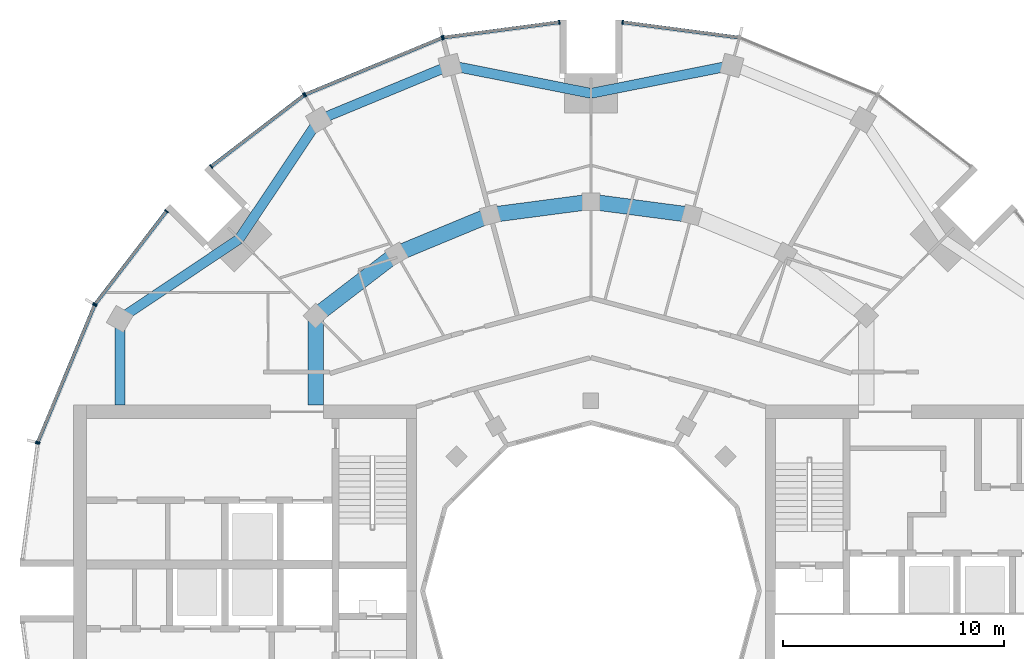
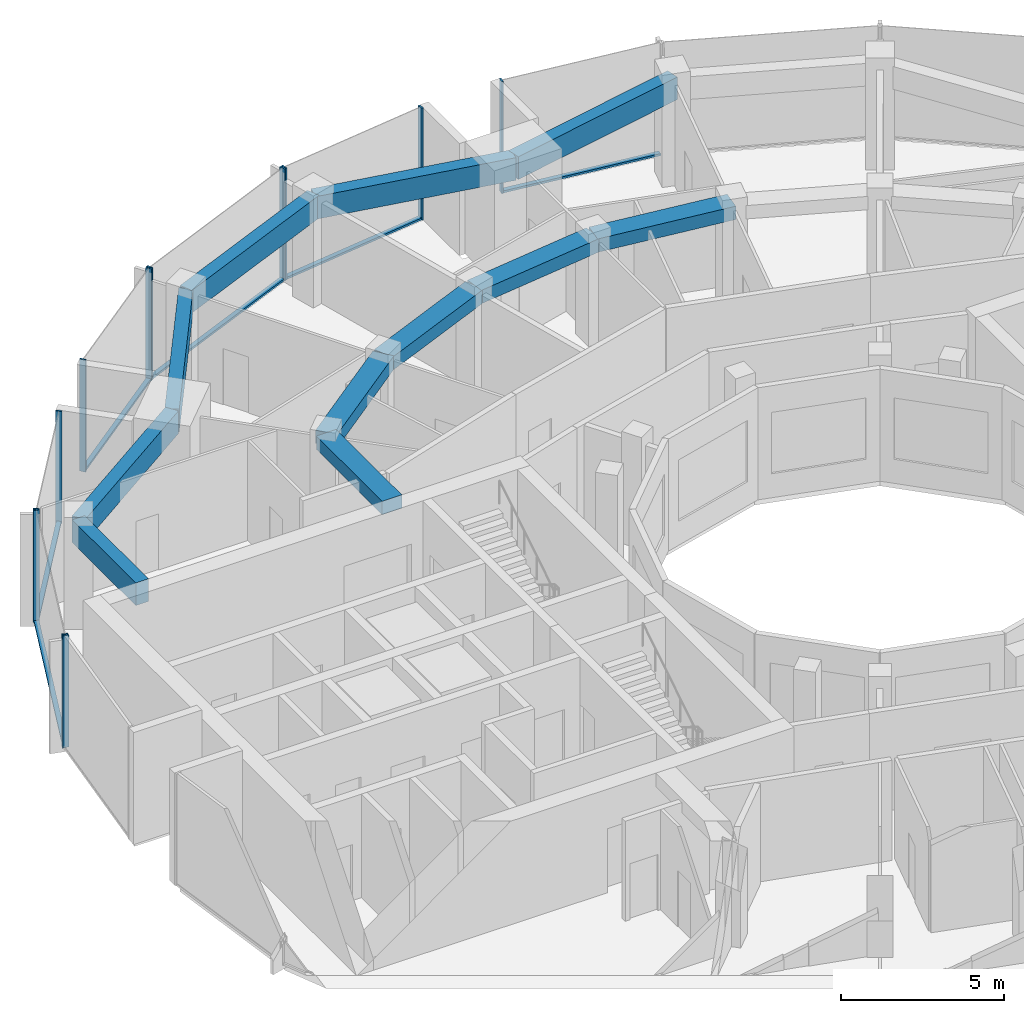
# One storey, part 5 of 15: 18 members, 11 beams, 7 elements without a shape of their own.
"""IFC4 building model written with IfcOpenShell, lengths in metres."""

import ifcopenshell
import ifcopenshell.guid

model = None  # the IFC model being written
_history = None  # IfcOwnerHistory: only IFC2X3 demands one
_inside = {}  # id of a spatial element -> (the spatial element, [elements in it])
_under = {}  # id of a project, library or spatial element -> (it, [spatial elements below it])
_declared = {}  # id of a project -> (the project, [libraries it declares])
_typed = {}  # id of a type object -> (the type object, [elements of that type])
_made_of = {}  # id of a material, layer set ... -> (it, [elements and type objects made of it])


def new_model(schema):
    """Start an empty IFC model of exactly this schema.

    Asked for "IFC4X3", IfcOpenShell would pick the latest addendum, in which some entities
    have other attributes; the version numbers below select the first issue.
    IFC2X3 requires an IfcOwnerHistory on every rooted entity: one is made here for all.
    """
    global model, _history
    if schema == "IFC4X3":
        model = ifcopenshell.file(schema_version=(4, 3, 0, 0))
    else:
        model = ifcopenshell.file(schema=schema)
    _inside.clear()
    _under.clear()
    _declared.clear()
    _typed.clear()
    _made_of.clear()
    _history = None
    if model.schema == "IFC2X3":
        org = make("IfcOrganization", Name="unknown")
        user = make(
            "IfcPersonAndOrganization",
            ThePerson=make("IfcPerson", FamilyName="unknown"),
            TheOrganization=org,
        )
        app = make(
            "IfcApplication",
            ApplicationDeveloper=org,
            Version="unknown",
            ApplicationFullName="unknown",
            ApplicationIdentifier="unknown",
        )
        _history = make(
            "IfcOwnerHistory",
            OwningUser=user,
            OwningApplication=app,
            ChangeAction="ADDED",
            CreationDate=0,
        )
    return model


def make(cls, **values):
    """One entity of the class cls with the attributes given. An attribute that is None is left unset."""
    return model.create_entity(
        cls, **{name: value for name, value in values.items() if value is not None}
    )


def rooted(cls, **values):
    """An entity with a GlobalId (a new one), such as an element, a storey or a relation."""
    return make(cls, GlobalId=ifcopenshell.guid.new(), OwnerHistory=_history, **values)


def si_unit(unit_type, name, prefix=None):
    """IfcSIUnit, for example si_unit("LENGTHUNIT", "METRE", prefix="MILLI")."""
    return make("IfcSIUnit", UnitType=unit_type, Prefix=prefix, Name=name)


def assignment(units):
    """IfcUnitAssignment: the units of a project."""
    return None if units is None else make("IfcUnitAssignment", Units=units)


def point(xyz):
    """IfcCartesianPoint."""
    return None if xyz is None else make("IfcCartesianPoint", Coordinates=xyz)


def direction(xyz):
    """IfcDirection."""
    return None if xyz is None else make("IfcDirection", DirectionRatios=xyz)


def frame(location, z_axis=None, x_axis=None):
    """IfcAxis2Placement3D, a coordinate frame: its origin and axes. An axis left out is left unset."""
    return make(
        "IfcAxis2Placement3D",
        Location=point(location),
        Axis=direction(z_axis),
        RefDirection=direction(x_axis),
    )


def frame_2d(location, x_axis=None):
    """IfcAxis2Placement2D, a coordinate frame in the plane: its origin and x axis."""
    return make(
        "IfcAxis2Placement2D", Location=point(location), RefDirection=direction(x_axis)
    )


def origin():
    """The frame at (0, 0, 0) with its axes left unset."""
    return frame((0.0, 0.0, 0.0))


def origin_2d():
    """The frame at (0, 0) in the plane with its x axis left unset."""
    return frame_2d((0.0, 0.0))


def place(relative_to, where):
    """IfcLocalPlacement: puts the frame where relative to a parent placement (None: the world)."""
    return make(
        "IfcLocalPlacement", PlacementRelTo=relative_to, RelativePlacement=where
    )


def context(
    kind, dimensions, precision=None, world=None, true_north=None, identifier=None
):
    """IfcGeometricRepresentationContext, for example the 3D "Model" context."""
    return make(
        "IfcGeometricRepresentationContext",
        ContextIdentifier=identifier,
        ContextType=kind,
        CoordinateSpaceDimension=dimensions,
        Precision=precision,
        WorldCoordinateSystem=world,
        TrueNorth=true_north,
    )


def subcontext(parent, identifier, kind, view, scale=None):
    """IfcGeometricRepresentationSubContext, for example "Body" below "Model"."""
    return make(
        "IfcGeometricRepresentationSubContext",
        ContextIdentifier=identifier,
        ContextType=kind,
        ParentContext=parent,
        TargetScale=scale,
        TargetView=view,
    )


def project(units=None, contexts=None):
    """IfcProject with its units and contexts."""
    return rooted(
        "IfcProject",
        Name="project",
        RepresentationContexts=contexts,
        UnitsInContext=assignment(units),
    )


def spatial(cls, under=None, at=None, **own):
    """A site, building, storey or space (cls), placed at a placement, below another one or the project."""
    s = rooted(cls, ObjectPlacement=at, **own)
    if under is not None:
        _under.setdefault(under.id(), (under, []))[1].append(s)
    return s


def profile(cls, at=None, kind="AREA", **sizes):
    """A parametric profile (cls). Its sizes go by their IFC names, for example OverallWidth=200.0."""
    return make(cls, ProfileType=kind, Position=at, **sizes)


def rectangle(**sizes):
    """IfcRectangleProfileDef."""
    return profile("IfcRectangleProfileDef", **sizes)


def extrude(swept, where, along, depth):
    """IfcExtrudedAreaSolid: the profile swept, set in the frame where, extruded along a direction by depth."""
    return make(
        "IfcExtrudedAreaSolid",
        SweptArea=swept,
        Position=where,
        ExtrudedDirection=direction(along),
        Depth=depth,
    )


def shape(context_of_items, identifier, shape_type, items):
    """IfcShapeRepresentation: the items that make up one representation, for example the "Body"."""
    return make(
        "IfcShapeRepresentation",
        ContextOfItems=context_of_items,
        RepresentationIdentifier=identifier,
        RepresentationType=shape_type,
        Items=items,
    )


def material(Name=None, Category=None):
    """IfcMaterial."""
    return make("IfcMaterial", Name=Name, Category=Category)


def layer(
    of_material, thickness, ventilated=None, Name=None, Category=None, Priority=None
):
    """IfcMaterialLayer: one layer of a wall or slab, of a material (None: an air gap)."""
    return make(
        "IfcMaterialLayer",
        Material=of_material,
        LayerThickness=thickness,
        IsVentilated=ventilated,
        Name=Name,
        Category=Category,
        Priority=Priority,
    )


def layer_set(layers, Name=None):
    """IfcMaterialLayerSet."""
    return make("IfcMaterialLayerSet", MaterialLayers=layers, LayerSetName=Name)


def material_profile(
    of_material, cross_section, Name=None, Category=None, Priority=None
):
    """IfcMaterialProfile: a cross section and its material."""
    return make(
        "IfcMaterialProfile",
        Name=Name,
        Material=of_material,
        Profile=cross_section,
        Priority=Priority,
        Category=Category,
    )


def profile_set(profiles, Name=None, composite=None):
    """IfcMaterialProfileSet."""
    return make(
        "IfcMaterialProfileSet",
        Name=Name,
        MaterialProfiles=profiles,
        CompositeProfile=composite,
    )


def made_of(thing, what):
    """Note that an element or type object is made of a material, layer set ...; save() writes the relation."""
    if what is not None:
        _made_of.setdefault(what.id(), (what, []))[1].append(thing)
    return thing


def type_object(cls, material=None, **own):
    """A type object (cls), such as IfcWallType, which elements share."""
    return made_of(rooted(cls, **own), material)


def element(
    cls,
    number,
    at=None,
    inside=None,
    cuts=None,
    type_object=None,
    material=None,
    context=None,
    identifier="Body",
    shape_type=None,
    held_by="IfcProductDefinitionShape",
    body=None,
    shapes=None,
    **own,
):
    """One element of the class cls, such as IfcWall. Its Tag is "e" and its number.

    at: its placement. inside: the storey or other place that contains it. cuts: it is an
    opening in that element (IfcRelVoidsElement). A single representation is given by context,
    identifier, shape_type and body (its items); several are given by shapes. held_by: the class
    of the entity that holds the representations. save() writes the other relations.
    """
    e = rooted(cls, Tag="e%d" % number, ObjectPlacement=at, **own)
    if body is not None:
        shapes = [shape(context, identifier, shape_type, body)]
    if shapes is not None:
        e.Representation = make(held_by, Representations=shapes)
    if inside is not None:
        _inside.setdefault(inside.id(), (inside, []))[1].append(e)
    if cuts is not None:
        rooted(
            "IfcRelVoidsElement", RelatingBuildingElement=cuts, RelatedOpeningElement=e
        )
    if type_object is not None:
        _typed.setdefault(type_object.id(), (type_object, []))[1].append(e)
    return made_of(e, material)


def aggregate(whole, parts):
    """IfcRelAggregates: a whole, such as a stair, and the parts it consists of."""
    return rooted("IfcRelAggregates", RelatingObject=whole, RelatedObjects=parts)


def save(model, path):
    """Write the relations noted so far, then the file.

    IfcRelAggregates (storeys below a building ...), IfcRelContainedInSpatialStructure (elements
    in a storey), IfcRelDefinesByType, IfcRelAssociatesMaterial and IfcRelDeclares: one each for
    every whole, place, type object, material and project.
    """
    for whole, parts in _under.values():
        aggregate(whole, parts)
    for where, things in _inside.values():
        rooted(
            "IfcRelContainedInSpatialStructure",
            RelatedElements=things,
            RelatingStructure=where,
        )
    for kind, things in _typed.values():
        rooted("IfcRelDefinesByType", RelatedObjects=things, RelatingType=kind)
    for what, things in _made_of.values():
        rooted("IfcRelAssociatesMaterial", RelatedObjects=things, RelatingMaterial=what)
    for by, libraries in _declared.values():
        rooted("IfcRelDeclares", RelatingContext=by, RelatedDefinitions=libraries)
    model.write(path)


model = new_model("IFC4")

# Units and contexts
model_context = context("Model", 3, precision=1e-05, world=origin(), true_north=direction((0.0, 1.0)))
body_context = subcontext(model_context, "Body", "Model", "MODEL_VIEW")
ifc_project = project(units=[si_unit("LENGTHUNIT", "METRE"), si_unit("AREAUNIT", "SQUARE_METRE"), si_unit("VOLUMEUNIT", "CUBIC_METRE"), si_unit("PLANEANGLEUNIT", "RADIAN"), si_unit("MASSUNIT", "GRAM", prefix="KILO")], contexts=[model_context])

# Site, building, storey
site_placement = place(None, origin())
site = spatial("IfcSite", under=ifc_project, at=site_placement, CompositionType="ELEMENT")
building_placement = place(site_placement, origin())
building = spatial("IfcBuilding", under=site, at=building_placement, Name="Torre Brocal", CompositionType="ELEMENT")
storey_placement = place(building_placement, frame((0.0, 0.0, 258.300048828125)))
storey = spatial("IfcBuildingStorey", under=building, at=storey_placement, Name="L59", CompositionType="ELEMENT", Elevation=258.300048828125)

# Curtain wall, member
ifc_material_1 = material(Name="Aluminium and glass", Category="aluminium")
ifc_layer_1 = layer(ifc_material_1, 0.199951171875)
ifc_layer_set_1 = layer_set([ifc_layer_1], Name="Aluminium and glass")
curtain_wall_type_1 = type_object("IfcCurtainWallType", Name="CW-1 CURTAIN WALL 4200 HIGH", PredefinedType="NOTDEFINED", material=ifc_layer_set_1)
curtain_wall_1_placement = place(storey_placement, origin())
curtain_wall_1 = element("IfcCurtainWall", 1, at=curtain_wall_1_placement, inside=storey, type_object=curtain_wall_type_1, Name="CW-1 RUN 6", PredefinedType="NOTDEFINED")
ifc_material_2 = material(Name="Aluminium, dark anodised", Category="aluminium")
ifc_material_profile_1 = material_profile(ifc_material_2, rectangle(XDim=0.199951171875, YDim=0.06005859375, at=origin_2d()), Name="CW-1 MULLION 60X200")
ifc_profile_set_1 = profile_set([ifc_material_profile_1], Name="Aluminium, dark anodised")
member_type_1 = type_object("IfcMemberType", Name="CW-1 MULLION 60X200", PredefinedType="MULLION", material=ifc_profile_set_1)
member_1_placement = place(storey_placement, frame((81.4296875, 100.7109375, 0.0), z_axis=(0.0, 0.0, 1.0), x_axis=(-0.13052619222, -0.991444861374, 0.0)))
member_1 = element("IfcMember", 2, at=member_1_placement, type_object=member_type_1, Name="CW1-5 mullion 2", PredefinedType="MULLION", context=body_context, shape_type="SweptSolid", body=[
    extrude(rectangle(XDim=0.199951171875, YDim=0.06005859375, at=origin_2d()), origin(), (0.0, 0.0, 1.0), 4.199951171875),
])

# Curtain wall, members
curtain_wall_2_placement = place(storey_placement, origin())
curtain_wall_2 = element("IfcCurtainWall", 3, at=curtain_wall_2_placement, inside=storey, type_object=curtain_wall_type_1, Name="CW-1 RUN 7", PredefinedType="NOTDEFINED")
member_2_placement = place(storey_placement, frame((78.5703125, 100.7109375, 0.0), z_axis=(0.0, 0.0, 1.0), x_axis=(0.13052619222, -0.991444861374, 0.0)))
member_2 = element("IfcMember", 4, at=member_2_placement, type_object=member_type_1, Name="CW1-5 mullion 1", PredefinedType="MULLION", context=body_context, shape_type="SweptSolid", body=[
    extrude(rectangle(XDim=0.199951171875, YDim=0.06005859375, at=origin_2d()), origin(), (0.0, 0.0, 1.0), 4.199951171875),
])
member_3_placement = place(storey_placement, frame((73.32666015625, 100.0205078125, 0.0), z_axis=(0.0, 0.0, 1.0), x_axis=(0.13052619222, -0.991444861374, 0.0)))
member_3 = element("IfcMember", 5, at=member_3_placement, type_object=member_type_1, Name="CW1-5 mullion 2", PredefinedType="MULLION", context=body_context, shape_type="SweptSolid", body=[
    extrude(rectangle(XDim=0.199951171875, YDim=0.06005859375, at=origin_2d()), origin(), (0.0, 0.0, 1.0), 4.199951171875),
])

curtain_wall_3_placement = place(storey_placement, origin())
curtain_wall_3 = element("IfcCurtainWall", 6, at=curtain_wall_3_placement, inside=storey, type_object=curtain_wall_type_1, Name="CW-1 RUN 8", PredefinedType="NOTDEFINED")
member_4_placement = place(storey_placement, frame((73.26904296875, 100.005126953125, 0.0), z_axis=(0.0, 0.0, 1.0), x_axis=(0.382683432333, -0.923879532525, 0.0)))
member_4 = element("IfcMember", 7, at=member_4_placement, type_object=member_type_1, Name="CW1-5 mullion 1", PredefinedType="MULLION", context=body_context, shape_type="SweptSolid", body=[
    extrude(rectangle(XDim=0.199951171875, YDim=0.06005859375, at=origin_2d()), origin(), (0.0, 0.0, 1.0), 4.199951171875),
])
member_5_placement = place(storey_placement, frame((67.078125, 97.440673828125, 0.0), z_axis=(0.0, 0.0, 1.0), x_axis=(0.382683432333, -0.923879532525, 0.0)))
member_5 = element("IfcMember", 8, at=member_5_placement, type_object=member_type_1, Name="CW1-5 mullion 2", PredefinedType="MULLION", context=body_context, shape_type="SweptSolid", body=[
    extrude(rectangle(XDim=0.199951171875, YDim=0.06005859375, at=origin_2d()), origin(), (0.0, 0.0, 1.0), 4.199951171875),
])

curtain_wall_4_placement = place(storey_placement, origin())
curtain_wall_4 = element("IfcCurtainWall", 9, at=curtain_wall_4_placement, inside=storey, type_object=curtain_wall_type_1, Name="CW-1 RUN 9", PredefinedType="NOTDEFINED")
member_6_placement = place(storey_placement, frame((67.026611328125, 97.4111328125, 0.0), z_axis=(0.0, 0.0, 1.0), x_axis=(0.60876142905, -0.793353340259, 0.0)))
member_6 = element("IfcMember", 10, at=member_6_placement, type_object=member_type_1, Name="CW1-5 mullion 1", PredefinedType="MULLION", context=body_context, shape_type="SweptSolid", body=[
    extrude(rectangle(XDim=0.199951171875, YDim=0.06005859375, at=origin_2d()), origin(), (0.0, 0.0, 1.0), 4.199951171875),
])
member_7_placement = place(storey_placement, frame((62.83056640625, 94.19140625, 0.0), z_axis=(0.0, 0.0, 1.0), x_axis=(0.60876142905, -0.793353340259, 0.0)))
member_7 = element("IfcMember", 11, at=member_7_placement, type_object=member_type_1, Name="CW1-5 mullion 2", PredefinedType="MULLION", context=body_context, shape_type="SweptSolid", body=[
    extrude(rectangle(XDim=0.199951171875, YDim=0.06005859375, at=origin_2d()), origin(), (0.0, 0.0, 1.0), 4.199951171875),
])

curtain_wall_5_placement = place(storey_placement, origin())
curtain_wall_5 = element("IfcCurtainWall", 12, at=curtain_wall_5_placement, inside=storey, type_object=curtain_wall_type_1, Name="CW-1 RUN 10", PredefinedType="NOTDEFINED")
member_8_placement = place(storey_placement, frame((60.80859375, 92.16943359375, 0.0), z_axis=(0.0, 0.0, 1.0), x_axis=(0.793353340259, -0.60876142905, 0.0)))
member_8 = element("IfcMember", 13, at=member_8_placement, type_object=member_type_1, Name="CW1-5 mullion 1", PredefinedType="MULLION", context=body_context, shape_type="SweptSolid", body=[
    extrude(rectangle(XDim=0.199951171875, YDim=0.06005859375, at=origin_2d()), origin(), (0.0, 0.0, 1.0), 4.199951171875),
])
member_9_placement = place(storey_placement, frame((57.5888671875, 87.973388671875, 0.0), z_axis=(0.0, 0.0, 1.0), x_axis=(0.793353340259, -0.60876142905, 0.0)))
member_9 = element("IfcMember", 14, at=member_9_placement, type_object=member_type_1, Name="CW1-5 mullion 2", PredefinedType="MULLION", context=body_context, shape_type="SweptSolid", body=[
    extrude(rectangle(XDim=0.199951171875, YDim=0.06005859375, at=origin_2d()), origin(), (0.0, 0.0, 1.0), 4.199951171875),
])

curtain_wall_6_placement = place(storey_placement, origin())
curtain_wall_6 = element("IfcCurtainWall", 15, at=curtain_wall_6_placement, inside=storey, type_object=curtain_wall_type_1, Name="CW-1 RUN 11", PredefinedType="NOTDEFINED")
member_10_placement = place(storey_placement, frame((57.559326171875, 87.921875, 0.0), z_axis=(0.0, 0.0, 1.0), x_axis=(0.923879532525, -0.382683432333, 0.0)))
member_10 = element("IfcMember", 16, at=member_10_placement, type_object=member_type_1, Name="CW1-5 mullion 1", PredefinedType="MULLION", context=body_context, shape_type="SweptSolid", body=[
    extrude(rectangle(XDim=0.199951171875, YDim=0.06005859375, at=origin_2d()), origin(), (0.0, 0.0, 1.0), 4.199951171875),
])
member_11_placement = place(storey_placement, frame((54.994873046875, 81.73095703125, 0.0), z_axis=(0.0, 0.0, 1.0), x_axis=(0.923879532525, -0.382683432333, 0.0)))
member_11 = element("IfcMember", 17, at=member_11_placement, type_object=member_type_1, Name="CW1-5 mullion 2", PredefinedType="MULLION", context=body_context, shape_type="SweptSolid", body=[
    extrude(rectangle(XDim=0.199951171875, YDim=0.06005859375, at=origin_2d()), origin(), (0.0, 0.0, 1.0), 4.199951171875),
])

# Member
ifc_material_3 = material(Name="Aluminium, dark anodised", Category="aluminium")
ifc_material_profile_2 = material_profile(ifc_material_3, rectangle(XDim=0.159912109375, YDim=0.080078125, at=origin_2d()), Name="CW-1 TRANSOM 160X80")
ifc_profile_set_2 = profile_set([ifc_material_profile_2], Name="Aluminium, dark anodised")
member_type_2 = type_object("IfcMemberType", Name="CW-1 TRANSOM 160X80", PredefinedType="USERDEFINED", material=ifc_profile_set_2)
member_12_placement = place(storey_placement, frame((86.643798828125, 100.0244140625, 0.0400390625), z_axis=(-0.991442690863, 0.130542677827, 0.0), x_axis=(-0.130542677827, -0.991442690863, 0.0)))
member_12 = element("IfcMember", 18, at=member_12_placement, type_object=member_type_2, Name="CW1-5 transom 1.1", ObjectType="TRANSOM", PredefinedType="USERDEFINED", context=body_context, shape_type="SweptSolid", body=[
    extrude(rectangle(XDim=0.159912109375, YDim=0.080078125, at=origin_2d()), origin(), (0.0, 0.0, 1.0), 5.22900390625),
])

aggregate(curtain_wall_1, [member_1, member_12])

member_13_placement = place(storey_placement, frame((78.54052734375, 100.70703125, 0.0400390625), z_axis=(-0.991442690863, -0.130542677827, 0.0), x_axis=(0.130542677827, -0.991442690863, 0.0)))
member_13 = element("IfcMember", 19, at=member_13_placement, type_object=member_type_2, Name="CW1-5 transom 1.1", ObjectType="TRANSOM", PredefinedType="USERDEFINED", context=body_context, shape_type="SweptSolid", body=[
    extrude(rectangle(XDim=0.159912109375, YDim=0.080078125, at=origin_2d()), origin(), (0.0, 0.0, 1.0), 5.22900390625),
])

aggregate(curtain_wall_2, [member_2, member_3, member_13])

member_14_placement = place(storey_placement, frame((73.241455078125, 99.99365234375, 0.0400390625), z_axis=(-0.923887344364, -0.38266457234, 0.0), x_axis=(0.38266457234, -0.923887344364, 0.0)))
member_14 = element("IfcMember", 20, at=member_14_placement, type_object=member_type_2, Name="CW1-5 transom 1.1", ObjectType="TRANSOM", PredefinedType="USERDEFINED", context=body_context, shape_type="SweptSolid", body=[
    extrude(rectangle(XDim=0.159912109375, YDim=0.080078125, at=origin_2d()), origin(), (0.0, 0.0, 1.0), 6.640869140625),
])

aggregate(curtain_wall_3, [member_4, member_5, member_14])

member_15_placement = place(storey_placement, frame((67.0029296875, 97.392822265625, 0.0400390625), z_axis=(-0.79336281513, -0.60874908096, 0.0), x_axis=(0.60874908096, -0.79336281513, 0.0)))
member_15 = element("IfcMember", 21, at=member_15_placement, type_object=member_type_2, Name="CW1-5 transom 1.1", ObjectType="TRANSOM", PredefinedType="USERDEFINED", context=body_context, shape_type="SweptSolid", body=[
    extrude(rectangle(XDim=0.159912109375, YDim=0.080078125, at=origin_2d()), origin(), (0.0, 0.0, 1.0), 5.22900390625),
])

aggregate(curtain_wall_4, [member_6, member_7, member_15])

member_16_placement = place(storey_placement, frame((60.790283203125, 92.1455078125, 0.0400390625), z_axis=(-0.60874908096, -0.79336281513, 0.0), x_axis=(0.79336281513, -0.60874908096, 0.0)))
member_16 = element("IfcMember", 22, at=member_16_placement, type_object=member_type_2, Name="CW1-5 transom 1.1", ObjectType="TRANSOM", PredefinedType="USERDEFINED", context=body_context, shape_type="SweptSolid", body=[
    extrude(rectangle(XDim=0.159912109375, YDim=0.080078125, at=origin_2d()), origin(), (0.0, 0.0, 1.0), 5.22900390625),
])

aggregate(curtain_wall_5, [member_8, member_9, member_16])

member_17_placement = place(storey_placement, frame((57.547607421875, 87.89404296875, 0.0400390625), z_axis=(-0.38266457234, -0.923887344364, 0.0), x_axis=(0.923887344364, -0.38266457234, 0.0)))
member_17 = element("IfcMember", 23, at=member_17_placement, type_object=member_type_2, Name="CW1-5 transom 1.1", ObjectType="TRANSOM", PredefinedType="USERDEFINED", context=body_context, shape_type="SweptSolid", body=[
    extrude(rectangle(XDim=0.159912109375, YDim=0.080078125, at=origin_2d()), origin(), (0.0, 0.0, 1.0), 6.640869140625),
])

aggregate(curtain_wall_6, [member_10, member_11, member_17])

# Curtain wall, member
ifc_material_4 = material(Name="Aluminium and glass", Category="aluminium")
ifc_layer_2 = layer(ifc_material_4, 0.199951171875)
ifc_layer_set_2 = layer_set([ifc_layer_2], Name="Aluminium and glass")
curtain_wall_type_2 = type_object("IfcCurtainWallType", Name="CW-1B CURTAIN WALL 4200 HIGH", PredefinedType="NOTDEFINED", material=ifc_layer_set_2)
curtain_wall_7_placement = place(storey_placement, origin())
curtain_wall_7 = element("IfcCurtainWall", 24, at=curtain_wall_7_placement, inside=storey, type_object=curtain_wall_type_2, Name="CW-1B RUN 12", PredefinedType="NOTDEFINED")
ifc_material_5 = material(Name="Aluminium, dark anodised", Category="aluminium")
ifc_material_profile_3 = material_profile(ifc_material_5, rectangle(XDim=0.199951171875, YDim=0.06005859375, at=origin_2d()), Name="CW-1B MULLION 60X200")
ifc_profile_set_3 = profile_set([ifc_material_profile_3], Name="Aluminium, dark anodised")
member_type_3 = type_object("IfcMemberType", Name="CW-1B MULLION 60X200", PredefinedType="MULLION", material=ifc_profile_set_3)
member_18_placement = place(storey_placement, frame((54.9794921875, 81.67333984375, 0.0), z_axis=(0.0, 0.0, 1.0), x_axis=(0.991444861374, -0.13052619222, 0.0)))
member_18 = element("IfcMember", 25, at=member_18_placement, type_object=member_type_3, Name="CW1B-5 mullion 1", PredefinedType="MULLION", context=body_context, shape_type="SweptSolid", body=[
    extrude(rectangle(XDim=0.199951171875, YDim=0.06005859375, at=origin_2d()), origin(), (0.0, 0.0, 1.0), 4.199951171875),
])
aggregate(curtain_wall_7, [member_18])

# Beams
ifc_material_6 = material(Name="Concrete C50", Category="concrete")
ifc_material_profile_4 = material_profile(ifc_material_6, rectangle(XDim=0.699951171875, YDim=0.5, at=origin_2d()), Name="RC 700X500")
ifc_profile_set_4 = profile_set([ifc_material_profile_4], Name="Concrete C50")
beam_type_1 = type_object("IfcBeamType", Name="RC BEAM 700X500 C50 TOP 3880", PredefinedType="BEAM", material=ifc_profile_set_4)
for number, where, z_axis, x_axis, name in (
    (26, (84.55517578125, 92.000244140625, 3.6298828125), (-0.991440544449, 0.130558978332, 0.0), (-0.130558978332, -0.991440544449, 0.0), "Beam BT-37"),
    (27, (80.0, 92.60009765625, 3.6298828125), (-0.991440544449, -0.130558978332, 0.0), (0.130558978332, -0.991440544449, 0.0), "Beam BT-37"),
):
    element("IfcBeam", number, at=place(storey_placement, frame(where, z_axis=z_axis, x_axis=x_axis)), inside=storey, type_object=beam_type_1, Name=name, PredefinedType="BEAM", context=body_context, shape_type="SweptSolid", body=[
        extrude(rectangle(XDim=0.699951171875, YDim=0.5, at=origin_2d()), origin(), (0.0, 0.0, 1.0), 4.594482421875),
    ])
beam_1_placement = place(storey_placement, frame((75.44482421875, 92.000244140625, 3.6298828125), z_axis=(-0.923878240166, -0.382686552348, 0.0), x_axis=(0.382686552348, -0.923878240166, 0.0)))
element("IfcBeam", 28, at=beam_1_placement, inside=storey, type_object=beam_type_1, Name="Beam BT-37", PredefinedType="BEAM", context=body_context, shape_type="SweptSolid", body=[
    extrude(rectangle(XDim=0.699951171875, YDim=0.5, at=origin_2d()), origin(), (0.0, 0.0, 1.0), 4.5947265625),
])
beam_2_placement = place(storey_placement, frame((71.199951171875, 90.241943359375, 3.6298828125), z_axis=(-0.793358265959, -0.6087550097, 0.0), x_axis=(0.6087550097, -0.793358265959, 0.0)))
element("IfcBeam", 29, at=beam_2_placement, inside=storey, type_object=beam_type_1, Name="Beam BT-37", PredefinedType="BEAM", context=body_context, shape_type="SweptSolid", body=[
    extrude(rectangle(XDim=0.699951171875, YDim=0.5, at=origin_2d()), origin(), (0.0, 0.0, 1.0), 4.594482421875),
])
beam_3_placement = place(storey_placement, frame((67.554931640625, 87.445068359375, 3.6298828125), z_axis=(0.0, -1.0, 0.0), x_axis=(1.0, 0.0, 0.0)))
element("IfcBeam", 30, at=beam_3_placement, inside=storey, type_object=beam_type_1, Name="Beam BT-37", PredefinedType="BEAM", context=body_context, shape_type="SweptSolid", body=[
    extrude(rectangle(XDim=0.699951171875, YDim=0.5, at=origin_2d()), origin(), (0.0, 0.0, 1.0), 4.045166015625),
])
ifc_material_7 = material(Name="Concrete C50", Category="concrete")
ifc_material_profile_5 = material_profile(ifc_material_7, rectangle(XDim=0.449951171875, YDim=0.85009765625, at=origin_2d()), Name="RC 450X850")
ifc_profile_set_5 = profile_set([ifc_material_profile_5], Name="Concrete C50")
beam_type_2 = type_object("IfcBeamType", Name="RC SPANDREL BEAM 450X850 C50 TOP 3880", PredefinedType="SPANDREL", material=ifc_profile_set_5)
for number, where, z_axis, x_axis, name in (
    (31, (86.366943359375, 98.76171875, 3.454833984375), (-0.980924907484, -0.194387051723, 0.0), (0.194387051723, -0.980924907484, 0.0), "Beam BT-38"),
    (32, (80.0, 97.5, 3.454833984375), (-0.980924907484, 0.194387051723, 0.0), (-0.194387051723, -0.980924907484, 0.0), "Beam BT-38"),
):
    element("IfcBeam", number, at=place(storey_placement, frame(where, z_axis=z_axis, x_axis=x_axis)), inside=storey, type_object=beam_type_2, Name=name, PredefinedType="SPANDREL", context=body_context, shape_type="SweptSolid", body=[
        extrude(rectangle(XDim=0.449951171875, YDim=0.85009765625, at=origin_2d()), origin(), (0.0, 0.0, 1.0), 6.49072265625),
    ])
beam_4_placement = place(storey_placement, frame((73.633056640625, 98.76171875, 3.454833984375), z_axis=(-0.923882462513, -0.382676358639, 0.0), x_axis=(0.382676358639, -0.923882462513, 0.0)))
element("IfcBeam", 33, at=beam_4_placement, inside=storey, type_object=beam_type_2, Name="Beam BT-38", PredefinedType="SPANDREL", context=body_context, shape_type="SweptSolid", body=[
    extrude(rectangle(XDim=0.449951171875, YDim=0.85009765625, at=origin_2d()), origin(), (0.0, 0.0, 1.0), 6.421875),
])
for number, where, z_axis, x_axis, name in (
    (34, (67.699951171875, 96.30419921875, 3.454833984375), (-0.556157602282, -0.831076844476, 0.0), (0.831076844476, -0.556157602282, 0.0), "Beam BT-38"),
    (35, (64.090087890625, 90.909912109375, 3.454833984375), (-0.831076844476, -0.556157602282, 0.0), (0.556157602282, -0.831076844476, 0.0), "Beam BT-38"),
):
    element("IfcBeam", number, at=place(storey_placement, frame(where, z_axis=z_axis, x_axis=x_axis)), inside=storey, type_object=beam_type_2, Name=name, PredefinedType="SPANDREL", context=body_context, shape_type="SweptSolid", body=[
        extrude(rectangle(XDim=0.449951171875, YDim=0.85009765625, at=origin_2d()), origin(), (0.0, 0.0, 1.0), 6.49072265625),
    ])
beam_5_placement = place(storey_placement, frame((58.69580078125, 87.300048828125, 3.454833984375), z_axis=(0.0, -1.0, 0.0), x_axis=(1.0, 0.0, 0.0)))
element("IfcBeam", 36, at=beam_5_placement, inside=storey, type_object=beam_type_2, Name="Beam BT-38", PredefinedType="SPANDREL", context=body_context, shape_type="SweptSolid", body=[
    extrude(rectangle(XDim=0.449951171875, YDim=0.85009765625, at=origin_2d()), origin(), (0.0, 0.0, 1.0), 3.900146484375),
])

save(model, "model.ifc")
